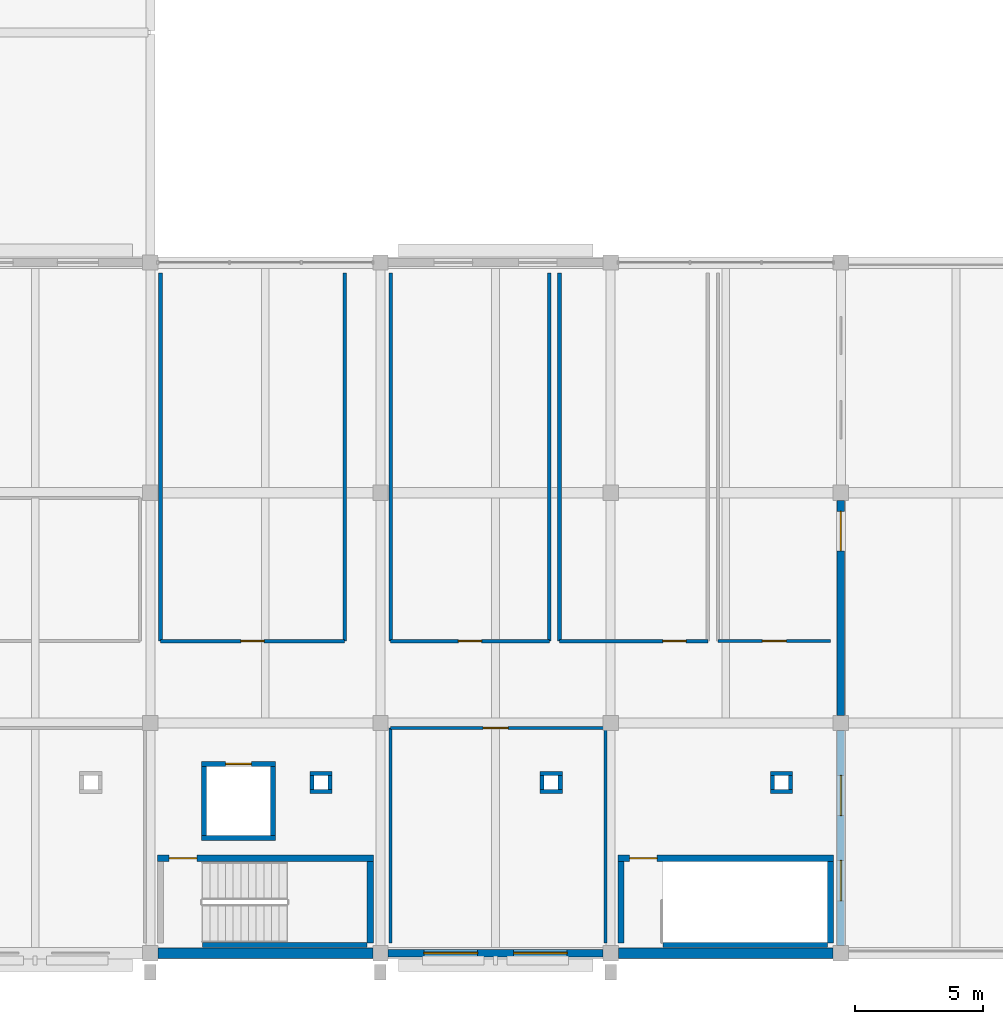
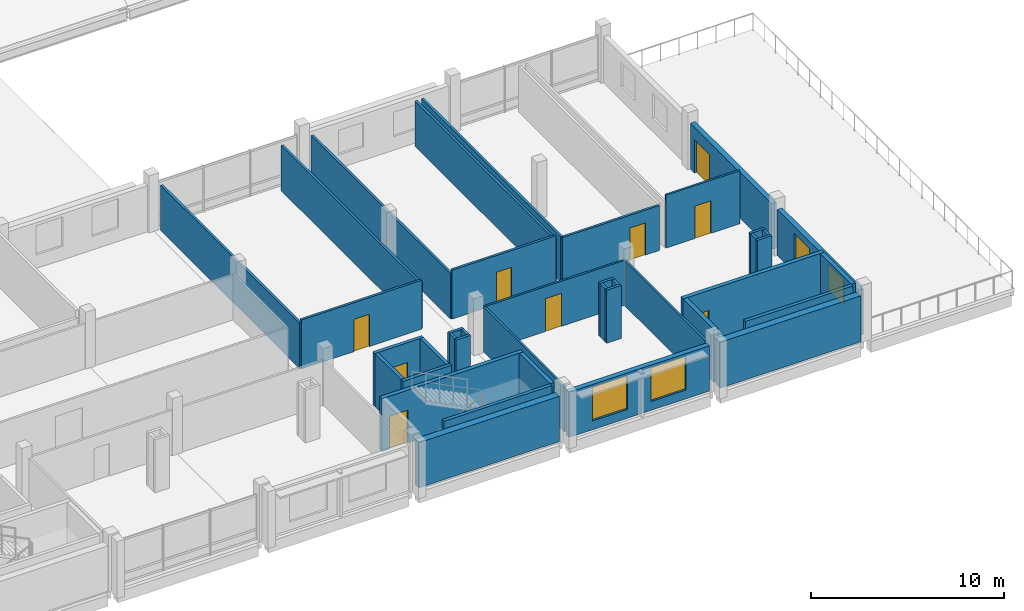
# One storey, part 151 of 163: 40 walls, 9 doors, 4 windows, 13 openings.
"""IFC4 building model written with IfcOpenShell, lengths in metres."""

import ifcopenshell
import ifcopenshell.guid

model = None  # the IFC model being written
_history = None  # IfcOwnerHistory: only IFC2X3 demands one
_inside = {}  # id of a spatial element -> (the spatial element, [elements in it])
_under = {}  # id of a project, library or spatial element -> (it, [spatial elements below it])
_declared = {}  # id of a project -> (the project, [libraries it declares])
_typed = {}  # id of a type object -> (the type object, [elements of that type])
_made_of = {}  # id of a material, layer set ... -> (it, [elements and type objects made of it])


def new_model(schema):
    """Start an empty IFC model of exactly this schema.

    Asked for "IFC4X3", IfcOpenShell would pick the latest addendum, in which some entities
    have other attributes; the version numbers below select the first issue.
    IFC2X3 requires an IfcOwnerHistory on every rooted entity: one is made here for all.
    """
    global model, _history
    if schema == "IFC4X3":
        model = ifcopenshell.file(schema_version=(4, 3, 0, 0))
    else:
        model = ifcopenshell.file(schema=schema)
    _inside.clear()
    _under.clear()
    _declared.clear()
    _typed.clear()
    _made_of.clear()
    _history = None
    if model.schema == "IFC2X3":
        org = make("IfcOrganization", Name="unknown")
        user = make(
            "IfcPersonAndOrganization",
            ThePerson=make("IfcPerson", FamilyName="unknown"),
            TheOrganization=org,
        )
        app = make(
            "IfcApplication",
            ApplicationDeveloper=org,
            Version="unknown",
            ApplicationFullName="unknown",
            ApplicationIdentifier="unknown",
        )
        _history = make(
            "IfcOwnerHistory",
            OwningUser=user,
            OwningApplication=app,
            ChangeAction="ADDED",
            CreationDate=0,
        )
    return model


def make(cls, **values):
    """One entity of the class cls with the attributes given. An attribute that is None is left unset."""
    return model.create_entity(
        cls, **{name: value for name, value in values.items() if value is not None}
    )


def rooted(cls, **values):
    """An entity with a GlobalId (a new one), such as an element, a storey or a relation."""
    return make(cls, GlobalId=ifcopenshell.guid.new(), OwnerHistory=_history, **values)


def si_unit(unit_type, name, prefix=None):
    """IfcSIUnit, for example si_unit("LENGTHUNIT", "METRE", prefix="MILLI")."""
    return make("IfcSIUnit", UnitType=unit_type, Prefix=prefix, Name=name)


def assignment(units):
    """IfcUnitAssignment: the units of a project."""
    return None if units is None else make("IfcUnitAssignment", Units=units)


def point(xyz):
    """IfcCartesianPoint."""
    return None if xyz is None else make("IfcCartesianPoint", Coordinates=xyz)


def direction(xyz):
    """IfcDirection."""
    return None if xyz is None else make("IfcDirection", DirectionRatios=xyz)


def frame(location, z_axis=None, x_axis=None):
    """IfcAxis2Placement3D, a coordinate frame: its origin and axes. An axis left out is left unset."""
    return make(
        "IfcAxis2Placement3D",
        Location=point(location),
        Axis=direction(z_axis),
        RefDirection=direction(x_axis),
    )


def frame_2d(location, x_axis=None):
    """IfcAxis2Placement2D, a coordinate frame in the plane: its origin and x axis."""
    return make(
        "IfcAxis2Placement2D", Location=point(location), RefDirection=direction(x_axis)
    )


def origin():
    """The frame at (0, 0, 0) with its axes left unset."""
    return frame((0.0, 0.0, 0.0))


def place(relative_to, where):
    """IfcLocalPlacement: puts the frame where relative to a parent placement (None: the world)."""
    return make(
        "IfcLocalPlacement", PlacementRelTo=relative_to, RelativePlacement=where
    )


def context(
    kind, dimensions, precision=None, world=None, true_north=None, identifier=None
):
    """IfcGeometricRepresentationContext, for example the 3D "Model" context."""
    return make(
        "IfcGeometricRepresentationContext",
        ContextIdentifier=identifier,
        ContextType=kind,
        CoordinateSpaceDimension=dimensions,
        Precision=precision,
        WorldCoordinateSystem=world,
        TrueNorth=true_north,
    )


def subcontext(parent, identifier, kind, view, scale=None):
    """IfcGeometricRepresentationSubContext, for example "Body" below "Model"."""
    return make(
        "IfcGeometricRepresentationSubContext",
        ContextIdentifier=identifier,
        ContextType=kind,
        ParentContext=parent,
        TargetScale=scale,
        TargetView=view,
    )


def project(units=None, contexts=None):
    """IfcProject with its units and contexts."""
    return rooted(
        "IfcProject",
        Name="project",
        RepresentationContexts=contexts,
        UnitsInContext=assignment(units),
    )


def spatial(cls, under=None, at=None, **own):
    """A site, building, storey or space (cls), placed at a placement, below another one or the project."""
    s = rooted(cls, ObjectPlacement=at, **own)
    if under is not None:
        _under.setdefault(under.id(), (under, []))[1].append(s)
    return s


def profile(cls, at=None, kind="AREA", **sizes):
    """A parametric profile (cls). Its sizes go by their IFC names, for example OverallWidth=200.0."""
    return make(cls, ProfileType=kind, Position=at, **sizes)


def rectangle(**sizes):
    """IfcRectangleProfileDef."""
    return profile("IfcRectangleProfileDef", **sizes)


def extrude(swept, where, along, depth):
    """IfcExtrudedAreaSolid: the profile swept, set in the frame where, extruded along a direction by depth."""
    return make(
        "IfcExtrudedAreaSolid",
        SweptArea=swept,
        Position=where,
        ExtrudedDirection=direction(along),
        Depth=depth,
    )


def shape(context_of_items, identifier, shape_type, items):
    """IfcShapeRepresentation: the items that make up one representation, for example the "Body"."""
    return make(
        "IfcShapeRepresentation",
        ContextOfItems=context_of_items,
        RepresentationIdentifier=identifier,
        RepresentationType=shape_type,
        Items=items,
    )


def material(Name=None, Category=None):
    """IfcMaterial."""
    return make("IfcMaterial", Name=Name, Category=Category)


def layer(
    of_material, thickness, ventilated=None, Name=None, Category=None, Priority=None
):
    """IfcMaterialLayer: one layer of a wall or slab, of a material (None: an air gap)."""
    return make(
        "IfcMaterialLayer",
        Material=of_material,
        LayerThickness=thickness,
        IsVentilated=ventilated,
        Name=Name,
        Category=Category,
        Priority=Priority,
    )


def layer_set(layers, Name=None):
    """IfcMaterialLayerSet."""
    return make("IfcMaterialLayerSet", MaterialLayers=layers, LayerSetName=Name)


def made_of(thing, what):
    """Note that an element or type object is made of a material, layer set ...; save() writes the relation."""
    if what is not None:
        _made_of.setdefault(what.id(), (what, []))[1].append(thing)
    return thing


def type_object(cls, material=None, **own):
    """A type object (cls), such as IfcWallType, which elements share."""
    return made_of(rooted(cls, **own), material)


def element(
    cls,
    number,
    at=None,
    inside=None,
    cuts=None,
    type_object=None,
    material=None,
    context=None,
    identifier="Body",
    shape_type=None,
    held_by="IfcProductDefinitionShape",
    body=None,
    shapes=None,
    **own,
):
    """One element of the class cls, such as IfcWall. Its Tag is "e" and its number.

    at: its placement. inside: the storey or other place that contains it. cuts: it is an
    opening in that element (IfcRelVoidsElement). A single representation is given by context,
    identifier, shape_type and body (its items); several are given by shapes. held_by: the class
    of the entity that holds the representations. save() writes the other relations.
    """
    e = rooted(cls, Tag="e%d" % number, ObjectPlacement=at, **own)
    if body is not None:
        shapes = [shape(context, identifier, shape_type, body)]
    if shapes is not None:
        e.Representation = make(held_by, Representations=shapes)
    if inside is not None:
        _inside.setdefault(inside.id(), (inside, []))[1].append(e)
    if cuts is not None:
        rooted(
            "IfcRelVoidsElement", RelatingBuildingElement=cuts, RelatedOpeningElement=e
        )
    if type_object is not None:
        _typed.setdefault(type_object.id(), (type_object, []))[1].append(e)
    return made_of(e, material)


def fill(opening, filler):
    """IfcRelFillsElement: the door or window that sits in an opening."""
    return rooted(
        "IfcRelFillsElement",
        RelatingOpeningElement=opening,
        RelatedBuildingElement=filler,
    )


def aggregate(whole, parts):
    """IfcRelAggregates: a whole, such as a stair, and the parts it consists of."""
    return rooted("IfcRelAggregates", RelatingObject=whole, RelatedObjects=parts)


def save(model, path):
    """Write the relations noted so far, then the file.

    IfcRelAggregates (storeys below a building ...), IfcRelContainedInSpatialStructure (elements
    in a storey), IfcRelDefinesByType, IfcRelAssociatesMaterial and IfcRelDeclares: one each for
    every whole, place, type object, material and project.
    """
    for whole, parts in _under.values():
        aggregate(whole, parts)
    for where, things in _inside.values():
        rooted(
            "IfcRelContainedInSpatialStructure",
            RelatedElements=things,
            RelatingStructure=where,
        )
    for kind, things in _typed.values():
        rooted("IfcRelDefinesByType", RelatedObjects=things, RelatingType=kind)
    for what, things in _made_of.values():
        rooted("IfcRelAssociatesMaterial", RelatedObjects=things, RelatingMaterial=what)
    for by, libraries in _declared.values():
        rooted("IfcRelDeclares", RelatingContext=by, RelatedDefinitions=libraries)
    model.write(path)


model = new_model("IFC4")

# Units and contexts
model_context = context("Model", 3, precision=1e-05, world=origin(), true_north=direction((0.0, 1.0)))
body_context = subcontext(model_context, "Body", "Model", "MODEL_VIEW")
ifc_project = project(units=[si_unit("LENGTHUNIT", "METRE"), si_unit("AREAUNIT", "SQUARE_METRE"), si_unit("VOLUMEUNIT", "CUBIC_METRE"), si_unit("PLANEANGLEUNIT", "RADIAN"), si_unit("MASSUNIT", "GRAM", prefix="KILO")], contexts=[model_context])

# Site, building, storey
site_placement = place(None, origin())
site = spatial("IfcSite", under=ifc_project, at=site_placement, CompositionType="ELEMENT")
building_placement = place(site_placement, origin())
building = spatial("IfcBuilding", under=site, at=building_placement, Name="Tharagai Park Tramway Depot", CompositionType="ELEMENT")
storey_placement = place(building_placement, frame((0.0, 0.0, 8.39990234375)))
storey = spatial("IfcBuildingStorey", under=building, at=storey_placement, Name="L02", CompositionType="ELEMENT", Elevation=8.39990234375)

# Walls
ifc_material_1 = material(Name="Charnockite stone", Category="masonry")
ifc_layer_1 = layer(ifc_material_1, 0.419921875)
ifc_layer_set_1 = layer_set([ifc_layer_1], Name="Charnockite stone")
wall_type_1 = type_object("IfcWallType", Name="EW-07", PredefinedType="SOLIDWALL", material=ifc_layer_set_1)
wall_1_placement = place(storey_placement, frame((63.298095703125, 0.0, 0.0), z_axis=(0.0, 0.0, 1.0), x_axis=(1.0, 0.0, 0.0)))
element("IfcWall", 1, at=wall_1_placement, inside=storey, type_object=wall_type_1, Name="L02 V4 Exterior Masonry Wall EW-07", PredefinedType="SOLIDWALL", context=body_context, shape_type="SweptSolid", body=[
    extrude(rectangle(XDim=8.40380859375, YDim=0.419921875, at=frame_2d((4.201904296875, 0.0))), origin(), (0.0, 0.0, 1.0), 2.862060546875),
])
wall_2_placement = place(storey_placement, frame((81.298095703125, 0.0, 0.0), z_axis=(0.0, 0.0, 1.0), x_axis=(1.0, 0.0, 0.0)))
element("IfcWall", 2, at=wall_2_placement, inside=storey, type_object=wall_type_1, Name="L02 V4 Exterior Masonry Wall EW-07", PredefinedType="SOLIDWALL", context=body_context, shape_type="SweptSolid", body=[
    extrude(rectangle(XDim=8.40380859375, YDim=0.419921875, at=frame_2d((4.201904296875, 0.0))), origin(), (0.0, 0.0, 1.0), 2.902099609375),
])

# Wall, openings, windows
ifc_material_2 = material(Name="Pressed clay brick", Category="masonry")
ifc_layer_2 = layer(ifc_material_2, 0.300048828125)
ifc_layer_set_2 = layer_set([ifc_layer_2], Name="Pressed clay brick")
wall_type_2 = type_object("IfcWallType", Name="EW-08", PredefinedType="SOLIDWALL", material=ifc_layer_set_2)
wall_3_placement = place(storey_placement, frame((72.298095703125, 0.0, 0.0), z_axis=(0.0, 0.0, 1.0), x_axis=(1.0, 0.0, 0.0)))
wall_3 = element("IfcWall", 3, at=wall_3_placement, inside=storey, type_object=wall_type_2, Name="L02 V4 Exterior Masonry Wall EW-08", PredefinedType="SOLIDWALL", context=body_context, shape_type="SweptSolid", body=[
    extrude(rectangle(XDim=8.40380859375, YDim=0.300048828125, at=frame_2d((4.201904296875, 0.0))), origin(), (0.0, 0.0, 1.0), 2.862060546875),
])
opening_1_placement = place(wall_3_placement, frame((1.40087890625, 0.0, 0.56005859375)))
opening_1 = element("IfcOpeningElement", 4, at=opening_1_placement, cuts=wall_3, Name="Opening WN-39", PredefinedType="OPENING", context=body_context, shape_type="SweptSolid", body=[
    extrude(rectangle(XDim=2.10009765625, YDim=2.1201171875, at=frame_2d((1.050048828125, 1.06005859375))), frame((0.0, 0.159912109375, 0.0), z_axis=(0.0, -1.0, 0.0), x_axis=(1.0, 0.0, 0.0)), (0.0, 0.0, 1.0), 0.320068359375),
])
opening_2_placement = place(wall_3_placement, frame((4.903076171875, 0.0, 0.56005859375)))
opening_2 = element("IfcOpeningElement", 5, at=opening_2_placement, cuts=wall_3, Name="Opening WN-39", PredefinedType="OPENING", context=body_context, shape_type="SweptSolid", body=[
    extrude(rectangle(XDim=2.10009765625, YDim=2.1201171875, at=frame_2d((1.050048828125, 1.06005859375))), frame((0.0, 0.159912109375, 0.0), z_axis=(0.0, -1.0, 0.0), x_axis=(1.0, 0.0, 0.0)), (0.0, 0.0, 1.0), 0.320068359375),
])
ifc_material_3 = material(Name="Laminated solar-control glass", Category="glass")
window_type_1 = type_object("IfcWindowType", Name="WN-39", PartitioningType="SINGLE_PANEL", PredefinedType="WINDOW", material=ifc_material_3)
window_1_placement = place(opening_1_placement, origin())
window_1 = element("IfcWindow", 6, at=window_1_placement, inside=storey, type_object=window_type_1, Name="L02 V4 Gothic Lancet Window WN-39", OverallHeight=2.1201171875, OverallWidth=2.10009765625, PartitioningType="SINGLE_PANEL", PredefinedType="WINDOW", context=body_context, shape_type="SweptSolid", body=[
    extrude(rectangle(XDim=2.10009765625, YDim=2.1201171875, at=frame_2d((1.050048828125, 1.06005859375))), frame((0.0, 0.030029296875, 0.0), z_axis=(0.0, -1.0, 0.0), x_axis=(1.0, 0.0, 0.0)), (0.0, 0.0, 1.0), 0.06005859375),
])
fill(opening_1, window_1)
window_2_placement = place(opening_2_placement, origin())
window_2 = element("IfcWindow", 7, at=window_2_placement, inside=storey, type_object=window_type_1, Name="L02 V4 Gothic Lancet Window WN-39", OverallHeight=2.1201171875, OverallWidth=2.10009765625, PartitioningType="SINGLE_PANEL", PredefinedType="WINDOW", context=body_context, shape_type="SweptSolid", body=[
    extrude(rectangle(XDim=2.10009765625, YDim=2.1201171875, at=frame_2d((1.050048828125, 1.06005859375))), frame((0.0, 0.030029296875, 0.0), z_axis=(0.0, -1.0, 0.0), x_axis=(1.0, 0.0, 0.0)), (0.0, 0.0, 1.0), 0.06005859375),
])
fill(opening_2, window_2)

wall_4_placement = place(storey_placement, frame((90.0, 0.298095703125, 0.0), z_axis=(0.0, 0.0, 1.0), x_axis=(0.0, 1.0, 0.0)))
wall_4 = element("IfcWall", 8, at=wall_4_placement, inside=storey, type_object=wall_type_2, Name="L02 V4 Exterior Masonry Wall EW-08", PredefinedType="SOLIDWALL", context=body_context, shape_type="SweptSolid", body=[
    extrude(rectangle(XDim=8.40380859375, YDim=0.300048828125, at=frame_2d((4.201904296875, 0.0))), origin(), (0.0, 0.0, 1.0), 2.902099609375),
])
opening_3_placement = place(wall_4_placement, frame((1.748046875, 0.0, 0.85009765625)))
opening_3 = element("IfcOpeningElement", 9, at=opening_3_placement, cuts=wall_4, Name="Opening WN-33", PredefinedType="OPENING", context=body_context, shape_type="SweptSolid", body=[
    extrude(rectangle(XDim=1.580078125, YDim=1.60009765625, at=frame_2d((0.7900390625, 0.800048828125))), frame((0.0, 0.159912109375, 0.0), z_axis=(0.0, -1.0, 0.0), x_axis=(1.0, 0.0, 0.0)), (0.0, 0.0, 1.0), 0.320068359375),
])
opening_4_placement = place(wall_4_placement, frame((5.075927734375, 0.0, 0.85009765625)))
opening_4 = element("IfcOpeningElement", 10, at=opening_4_placement, cuts=wall_4, Name="Opening WN-33", PredefinedType="OPENING", context=body_context, shape_type="SweptSolid", body=[
    extrude(rectangle(XDim=1.580078125, YDim=1.60009765625, at=frame_2d((0.7900390625, 0.800048828125))), frame((0.0, 0.159912109375, 0.0), z_axis=(0.0, -1.0, 0.0), x_axis=(1.0, 0.0, 0.0)), (0.0, 0.0, 1.0), 0.320068359375),
])
window_type_2 = type_object("IfcWindowType", Name="WN-33", PartitioningType="SINGLE_PANEL", PredefinedType="WINDOW", material=ifc_material_3)
window_3_placement = place(opening_3_placement, origin())
window_3 = element("IfcWindow", 11, at=window_3_placement, inside=storey, type_object=window_type_2, Name="L02 V4 Side Lancet Window WN-33", OverallHeight=1.60009765625, OverallWidth=1.580078125, PartitioningType="SINGLE_PANEL", PredefinedType="WINDOW", context=body_context, shape_type="SweptSolid", body=[
    extrude(rectangle(XDim=1.580078125, YDim=1.60009765625, at=frame_2d((0.7900390625, 0.800048828125))), frame((0.0, 0.030029296875, 0.0), z_axis=(0.0, -1.0, 0.0), x_axis=(1.0, 0.0, 0.0)), (0.0, 0.0, 1.0), 0.06005859375),
])
fill(opening_3, window_3)
window_4_placement = place(opening_4_placement, origin())
window_4 = element("IfcWindow", 12, at=window_4_placement, inside=storey, type_object=window_type_2, Name="L02 V4 Side Lancet Window WN-33", OverallHeight=1.60009765625, OverallWidth=1.580078125, PartitioningType="SINGLE_PANEL", PredefinedType="WINDOW", context=body_context, shape_type="SweptSolid", body=[
    extrude(rectangle(XDim=1.580078125, YDim=1.60009765625, at=frame_2d((0.7900390625, 0.800048828125))), frame((0.0, 0.030029296875, 0.0), z_axis=(0.0, -1.0, 0.0), x_axis=(1.0, 0.0, 0.0)), (0.0, 0.0, 1.0), 0.06005859375),
])
fill(opening_4, window_4)

# Wall, opening, door
wall_5_placement = place(storey_placement, frame((90.0, 9.298095703125, 0.0), z_axis=(0.0, 0.0, 1.0), x_axis=(0.0, 1.0, 0.0)))
wall_5 = element("IfcWall", 13, at=wall_5_placement, inside=storey, type_object=wall_type_2, Name="L02 V4 Exterior Masonry Wall EW-08", PredefinedType="SOLIDWALL", context=body_context, shape_type="SweptSolid", body=[
    extrude(rectangle(XDim=8.40380859375, YDim=0.300048828125, at=frame_2d((4.201904296875, 0.0))), origin(), (0.0, 0.0, 1.0), 2.902099609375),
])
opening_5_placement = place(wall_5_placement, frame((6.431884765625, 0.0, 0.0)))
opening_5 = element("IfcOpeningElement", 14, at=opening_5_placement, cuts=wall_5, Name="Opening ED-04", PredefinedType="OPENING", context=body_context, shape_type="SweptSolid", body=[
    extrude(rectangle(XDim=1.5400390625, YDim=2.1201171875, at=frame_2d((0.77001953125, 1.06005859375))), frame((0.0, 0.159912109375, 0.0), z_axis=(0.0, -1.0, 0.0), x_axis=(1.0, 0.0, 0.0)), (0.0, 0.0, 1.0), 0.320068359375),
])
ifc_material_4 = material(Name="Anodised aluminium", Category="aluminium")
door_type_1 = type_object("IfcDoorType", Name="ED-04", OperationType="DOUBLE_SWING_LEFT", PredefinedType="DOOR", material=ifc_material_4)
door_1_placement = place(opening_5_placement, frame((1.5400390625, 0.0, 0.0), z_axis=(0.0, 0.0, 1.0), x_axis=(-1.0, 0.0, 0.0)))
door_1 = element("IfcDoor", 15, at=door_1_placement, inside=storey, type_object=door_type_1, Name="T-L02-V4 Terrace Access Door", OperationType="DOUBLE_SWING_LEFT", OverallHeight=2.1201171875, OverallWidth=1.5400390625, PredefinedType="DOOR", context=body_context, shape_type="SweptSolid", body=[
    extrude(rectangle(XDim=1.5400390625, YDim=2.1201171875, at=frame_2d((0.77001953125, 1.06005859375))), frame((0.0, 0.02490234375, 0.0), z_axis=(0.0, -1.0, 0.0), x_axis=(1.0, 0.0, 0.0)), (0.0, 0.0, 1.0), 0.050048828125),
])
fill(opening_5, door_1)

ifc_layer_3 = layer(ifc_material_2, 0.139892578125)
ifc_layer_set_3 = layer_set([ifc_layer_3], Name="Pressed clay brick")
wall_type_3 = type_object("IfcWallType", Name="IW-01", PredefinedType="PARTITIONING", material=ifc_layer_set_3)
wall_6_placement = place(storey_placement, frame((63.39990234375, 12.199951171875, 0.0), z_axis=(0.0, 0.0, 1.0), x_axis=(1.0, 0.0, 0.0)))
wall_6 = element("IfcWall", 16, at=wall_6_placement, inside=storey, type_object=wall_type_3, Name="Second Floor Male WC Partition South", PredefinedType="PARTITIONING", context=body_context, shape_type="SweptSolid", body=[
    extrude(rectangle(XDim=7.2001953125, YDim=0.139892578125, at=frame_2d((3.60009765625, 0.0))), origin(), (0.0, 0.0, 1.0), 3.09521484375),
])
opening_6_placement = place(wall_6_placement, frame((3.14501953125, 0.0, 0.0)))
opening_6 = element("IfcOpeningElement", 17, at=opening_6_placement, cuts=wall_6, Name="Opening ID-08", PredefinedType="OPENING", context=body_context, shape_type="SweptSolid", body=[
    extrude(rectangle(XDim=0.909912109375, YDim=2.0400390625, at=frame_2d((0.455078125, 1.02001953125))), frame((0.0, 0.079833984375, 0.0), z_axis=(0.0, -1.0, 0.0), x_axis=(1.0, 0.0, 0.0)), (0.0, 0.0, 1.0), 0.159912109375),
])
ifc_material_5 = material(Name="Pressed timber", Category="wood")
door_type_2 = type_object("IfcDoorType", Name="ID-08", OperationType="NOTDEFINED", PredefinedType="DOOR", material=ifc_material_5)
door_2_placement = place(opening_6_placement, frame((0.909912109375, 0.0, 0.0), z_axis=(0.0, 0.0, 1.0), x_axis=(-1.0, 0.0, 0.0)))
door_2 = element("IfcDoor", 18, at=door_2_placement, inside=storey, type_object=door_type_2, Name="Second Floor Male WC Door", OperationType="SINGLE_SWING_LEFT", OverallHeight=2.0400390625, OverallWidth=0.909912109375, PredefinedType="DOOR", context=body_context, shape_type="SweptSolid", body=[
    extrude(rectangle(XDim=0.909912109375, YDim=2.0400390625, at=frame_2d((0.455078125, 1.02001953125))), frame((0.0, 0.02490234375, 0.0), z_axis=(0.0, -1.0, 0.0), x_axis=(1.0, 0.0, 0.0)), (0.0, 0.0, 1.0), 0.050048828125),
])
fill(opening_6, door_2)

# Walls
for number, where, z_axis, x_axis, name in (
    (19, (63.39990234375, 12.199951171875, 0.0), (0.0, 0.0, 1.0), (0.0, 1.0, 0.0), "Second Floor Male WC Partition West"),
    (20, (70.60009765625, 12.199951171875, 0.0), (0.0, 0.0, 1.0), (0.0, 1.0, 0.0), "Second Floor Male WC Partition East"),
):
    element("IfcWall", number, at=place(storey_placement, frame(where, z_axis=z_axis, x_axis=x_axis)), inside=storey, type_object=wall_type_3, Name=name, PredefinedType="PARTITIONING", context=body_context, shape_type="SweptSolid", body=[
        extrude(rectangle(XDim=14.400146484375, YDim=0.139892578125, at=frame_2d((7.2001953125, 0.0))), origin(), (0.0, 0.0, 1.0), 2.864990234375),
    ])

# Wall, opening, door
wall_7_placement = place(storey_placement, frame((72.39990234375, 12.199951171875, 0.0), z_axis=(0.0, 0.0, 1.0), x_axis=(1.0, 0.0, 0.0)))
wall_7 = element("IfcWall", 21, at=wall_7_placement, inside=storey, type_object=wall_type_3, Name="Second Floor Female WC Partition South", PredefinedType="PARTITIONING", context=body_context, shape_type="SweptSolid", body=[
    extrude(rectangle(XDim=6.2001953125, YDim=0.139892578125, at=frame_2d((3.10009765625, 0.0))), origin(), (0.0, 0.0, 1.0), 3.09521484375),
])
opening_7_placement = place(wall_7_placement, frame((2.64501953125, 0.0, 0.0)))
opening_7 = element("IfcOpeningElement", 22, at=opening_7_placement, cuts=wall_7, Name="Opening ID-08", PredefinedType="OPENING", context=body_context, shape_type="SweptSolid", body=[
    extrude(rectangle(XDim=0.909912109375, YDim=2.0400390625, at=frame_2d((0.455078125, 1.02001953125))), frame((0.0, 0.079833984375, 0.0), z_axis=(0.0, -1.0, 0.0), x_axis=(1.0, 0.0, 0.0)), (0.0, 0.0, 1.0), 0.159912109375),
])
door_3_placement = place(opening_7_placement, frame((0.909912109375, 0.0, 0.0), z_axis=(0.0, 0.0, 1.0), x_axis=(-1.0, 0.0, 0.0)))
door_3 = element("IfcDoor", 23, at=door_3_placement, inside=storey, type_object=door_type_2, Name="Second Floor Female WC Door", OperationType="SINGLE_SWING_RIGHT", OverallHeight=2.0400390625, OverallWidth=0.909912109375, PredefinedType="DOOR", context=body_context, shape_type="SweptSolid", body=[
    extrude(rectangle(XDim=0.909912109375, YDim=2.0400390625, at=frame_2d((0.455078125, 1.02001953125))), frame((0.0, 0.02490234375, 0.0), z_axis=(0.0, -1.0, 0.0), x_axis=(1.0, 0.0, 0.0)), (0.0, 0.0, 1.0), 0.050048828125),
])
fill(opening_7, door_3)

# Walls
for number, where, z_axis, x_axis, name in (
    (24, (72.39990234375, 12.199951171875, 0.0), (0.0, 0.0, 1.0), (0.0, 1.0, 0.0), "Second Floor Female WC Partition West"),
    (25, (78.60009765625, 12.199951171875, 0.0), (0.0, 0.0, 1.0), (0.0, 1.0, 0.0), "Second Floor Female WC Partition East"),
):
    element("IfcWall", number, at=place(storey_placement, frame(where, z_axis=z_axis, x_axis=x_axis)), inside=storey, type_object=wall_type_3, Name=name, PredefinedType="PARTITIONING", context=body_context, shape_type="SweptSolid", body=[
        extrude(rectangle(XDim=14.400146484375, YDim=0.139892578125, at=frame_2d((7.2001953125, 0.0))), origin(), (0.0, 0.0, 1.0), 2.864990234375),
    ])

# Wall, opening, door
wall_8_placement = place(storey_placement, frame((79.0, 12.199951171875, 0.0), z_axis=(0.0, 0.0, 1.0), x_axis=(1.0, 0.0, 0.0)))
wall_8 = element("IfcWall", 26, at=wall_8_placement, inside=storey, type_object=wall_type_3, Name="Second Floor Accessible WC Partition South", PredefinedType="PARTITIONING", context=body_context, shape_type="SweptSolid", body=[
    extrude(rectangle(XDim=5.800048828125, YDim=0.139892578125, at=frame_2d((2.89990234375, 0.0))), origin(), (0.0, 0.0, 1.0), 2.84521484375),
])
opening_8_placement = place(wall_8_placement, frame((4.044921875, 0.0, 0.0)))
opening_8 = element("IfcOpeningElement", 27, at=opening_8_placement, cuts=wall_8, Name="Opening ID-08", PredefinedType="OPENING", context=body_context, shape_type="SweptSolid", body=[
    extrude(rectangle(XDim=0.909912109375, YDim=2.0400390625, at=frame_2d((0.455078125, 1.02001953125))), frame((0.0, 0.079833984375, 0.0), z_axis=(0.0, -1.0, 0.0), x_axis=(1.0, 0.0, 0.0)), (0.0, 0.0, 1.0), 0.159912109375),
])
door_4_placement = place(opening_8_placement, frame((0.909912109375, 0.0, 0.0), z_axis=(0.0, 0.0, 1.0), x_axis=(-1.0, 0.0, 0.0)))
door_4 = element("IfcDoor", 28, at=door_4_placement, inside=storey, type_object=door_type_2, Name="Second Floor Accessible WC Door", OperationType="SINGLE_SWING_LEFT", OverallHeight=2.0400390625, OverallWidth=0.909912109375, PredefinedType="DOOR", context=body_context, shape_type="SweptSolid", body=[
    extrude(rectangle(XDim=0.909912109375, YDim=2.0400390625, at=frame_2d((0.455078125, 1.02001953125))), frame((0.0, 0.02490234375, 0.0), z_axis=(0.0, -1.0, 0.0), x_axis=(1.0, 0.0, 0.0)), (0.0, 0.0, 1.0), 0.050048828125),
])
fill(opening_8, door_4)

# Walls
wall_9_placement = place(storey_placement, frame((79.0, 12.199951171875, 0.0), z_axis=(0.0, 0.0, 1.0), x_axis=(0.0, 1.0, 0.0)))
element("IfcWall", 29, at=wall_9_placement, inside=storey, type_object=wall_type_3, Name="Second Floor Accessible WC Partition West", PredefinedType="PARTITIONING", context=body_context, shape_type="SweptSolid", body=[
    extrude(rectangle(XDim=14.400146484375, YDim=0.139892578125, at=frame_2d((7.2001953125, 0.0))), origin(), (0.0, 0.0, 1.0), 2.864990234375),
])
ifc_layer_4 = layer(ifc_material_2, 0.159912109375)
ifc_layer_set_4 = layer_set([ifc_layer_4], Name="Pressed clay brick")
wall_type_4 = type_object("IfcWallType", Name="IW-02", PredefinedType="PARTITIONING", material=ifc_layer_set_4)
for number, where, z_axis, x_axis, name in (
    (30, (69.239990234375, 6.320068359375, 0.0), (0.0, 0.0, 1.0), (1.0, 0.0, 0.0), "L02 Pipe Riser Enclosure Wall 44 S"),
    (31, (69.239990234375, 7.030029296875, 0.0), (0.0, 0.0, 1.0), (1.0, 0.0, 0.0), "L02 Pipe Riser Enclosure Wall 44 N"),
):
    element("IfcWall", number, at=place(storey_placement, frame(where, z_axis=z_axis, x_axis=x_axis)), inside=storey, type_object=wall_type_4, Name=name, PredefinedType="PARTITIONING", context=body_context, shape_type="SweptSolid", body=[
        extrude(rectangle(XDim=0.8701171875, YDim=0.159912109375, at=frame_2d((0.43505859375, 0.0))), origin(), (0.0, 0.0, 1.0), 3.35009765625),
    ])
for number, where, z_axis, x_axis, name in (
    (32, (69.320068359375, 6.39990234375, 0.0), (0.0, 0.0, 1.0), (0.0, 1.0, 0.0), "L02 Pipe Riser Enclosure Wall 44 W"),
    (33, (70.030029296875, 6.39990234375, 0.0), (0.0, 0.0, 1.0), (0.0, 1.0, 0.0), "L02 Pipe Riser Enclosure Wall 44 E"),
):
    element("IfcWall", number, at=place(storey_placement, frame(where, z_axis=z_axis, x_axis=x_axis)), inside=storey, type_object=wall_type_4, Name=name, PredefinedType="PARTITIONING", context=body_context, shape_type="SweptSolid", body=[
        extrude(rectangle(XDim=0.550048828125, YDim=0.159912109375, at=frame_2d((0.27490234375, 0.0))), origin(), (0.0, 0.0, 1.0), 3.35009765625),
    ])
for number, where, z_axis, x_axis, name in (
    (34, (78.239990234375, 6.320068359375, 0.0), (0.0, 0.0, 1.0), (1.0, 0.0, 0.0), "L02 Pipe Riser Enclosure Wall 45 S"),
    (35, (78.239990234375, 7.030029296875, 0.0), (0.0, 0.0, 1.0), (1.0, 0.0, 0.0), "L02 Pipe Riser Enclosure Wall 45 N"),
):
    element("IfcWall", number, at=place(storey_placement, frame(where, z_axis=z_axis, x_axis=x_axis)), inside=storey, type_object=wall_type_4, Name=name, PredefinedType="PARTITIONING", context=body_context, shape_type="SweptSolid", body=[
        extrude(rectangle(XDim=0.8701171875, YDim=0.159912109375, at=frame_2d((0.43505859375, 0.0))), origin(), (0.0, 0.0, 1.0), 3.35009765625),
    ])
for number, where, z_axis, x_axis, name in (
    (36, (78.320068359375, 6.39990234375, 0.0), (0.0, 0.0, 1.0), (0.0, 1.0, 0.0), "L02 Pipe Riser Enclosure Wall 45 W"),
    (37, (79.030029296875, 6.39990234375, 0.0), (0.0, 0.0, 1.0), (0.0, 1.0, 0.0), "L02 Pipe Riser Enclosure Wall 45 E"),
):
    element("IfcWall", number, at=place(storey_placement, frame(where, z_axis=z_axis, x_axis=x_axis)), inside=storey, type_object=wall_type_4, Name=name, PredefinedType="PARTITIONING", context=body_context, shape_type="SweptSolid", body=[
        extrude(rectangle(XDim=0.550048828125, YDim=0.159912109375, at=frame_2d((0.27490234375, 0.0))), origin(), (0.0, 0.0, 1.0), 3.35009765625),
    ])
for number, where, z_axis, x_axis, name in (
    (38, (87.239990234375, 6.320068359375, 0.0), (0.0, 0.0, 1.0), (1.0, 0.0, 0.0), "L02 Pipe Riser Enclosure Wall 46 S"),
    (39, (87.239990234375, 7.030029296875, 0.0), (0.0, 0.0, 1.0), (1.0, 0.0, 0.0), "L02 Pipe Riser Enclosure Wall 46 N"),
):
    element("IfcWall", number, at=place(storey_placement, frame(where, z_axis=z_axis, x_axis=x_axis)), inside=storey, type_object=wall_type_4, Name=name, PredefinedType="PARTITIONING", context=body_context, shape_type="SweptSolid", body=[
        extrude(rectangle(XDim=0.8701171875, YDim=0.159912109375, at=frame_2d((0.43505859375, 0.0))), origin(), (0.0, 0.0, 1.0), 3.35009765625),
    ])
for number, where, z_axis, x_axis, name in (
    (40, (87.320068359375, 6.39990234375, 0.0), (0.0, 0.0, 1.0), (0.0, 1.0, 0.0), "L02 Pipe Riser Enclosure Wall 46 W"),
    (41, (88.030029296875, 6.39990234375, 0.0), (0.0, 0.0, 1.0), (0.0, 1.0, 0.0), "L02 Pipe Riser Enclosure Wall 46 E"),
):
    element("IfcWall", number, at=place(storey_placement, frame(where, z_axis=z_axis, x_axis=x_axis)), inside=storey, type_object=wall_type_4, Name=name, PredefinedType="PARTITIONING", context=body_context, shape_type="SweptSolid", body=[
        extrude(rectangle(XDim=0.550048828125, YDim=0.159912109375, at=frame_2d((0.27490234375, 0.0))), origin(), (0.0, 0.0, 1.0), 3.35009765625),
    ])

# Wall, opening, door
ifc_material_6 = material(Name="Gypsum board", Category="gypsum")
ifc_layer_5 = layer(ifc_material_6, 0.1201171875)
ifc_layer_set_5 = layer_set([ifc_layer_5], Name="Gypsum board")
wall_type_5 = type_object("IfcWallType", Name="IW-03", PredefinedType="PARTITIONING", material=ifc_layer_set_5)
wall_10_placement = place(storey_placement, frame((72.39990234375, 8.800048828125, 0.0), z_axis=(0.0, 0.0, 1.0), x_axis=(1.0, 0.0, 0.0)))
wall_10 = element("IfcWall", 42, at=wall_10_placement, inside=storey, type_object=wall_type_5, Name="Cab Simulator Lab 2 Partition North", PredefinedType="PARTITIONING", context=body_context, shape_type="SweptSolid", body=[
    extrude(rectangle(XDim=8.400146484375, YDim=0.1201171875, at=frame_2d((4.2001953125, 0.0))), origin(), (0.0, 0.0, 1.0), 2.84521484375),
])
opening_9_placement = place(wall_10_placement, frame((3.610107421875, 0.0, 0.0)))
opening_9 = element("IfcOpeningElement", 43, at=opening_9_placement, cuts=wall_10, Name="Opening ID-02", PredefinedType="OPENING", context=body_context, shape_type="SweptSolid", body=[
    extrude(rectangle(XDim=0.97998046875, YDim=2.080078125, at=frame_2d((0.489990234375, 1.0400390625))), frame((0.0, 0.070068359375, 0.0), z_axis=(0.0, -1.0, 0.0), x_axis=(1.0, 0.0, 0.0)), (0.0, 0.0, 1.0), 0.14013671875),
])
door_type_3 = type_object("IfcDoorType", Name="ID-02", OperationType="NOTDEFINED", PredefinedType="DOOR", material=ifc_material_5)
door_5_placement = place(opening_9_placement, origin())
door_5 = element("IfcDoor", 44, at=door_5_placement, inside=storey, type_object=door_type_3, Name="Cab Simulator Lab 2 Door", OperationType="SINGLE_SWING_LEFT", OverallHeight=2.080078125, OverallWidth=0.97998046875, PredefinedType="DOOR", context=body_context, shape_type="SweptSolid", body=[
    extrude(rectangle(XDim=0.97998046875, YDim=2.080078125, at=frame_2d((0.489990234375, 1.0400390625))), frame((0.0, 0.02490234375, 0.0), z_axis=(0.0, -1.0, 0.0), x_axis=(1.0, 0.0, 0.0)), (0.0, 0.0, 1.0), 0.050048828125),
])
fill(opening_9, door_5)

# Walls
for number, where, z_axis, x_axis, name in (
    (45, (72.39990234375, 0.39990234375, 0.0), (0.0, 0.0, 1.0), (0.0, 1.0, 0.0), "Cab Simulator Lab 2 Partition West"),
    (46, (80.800048828125, 0.39990234375, 0.0), (0.0, 0.0, 1.0), (0.0, 1.0, 0.0), "Cab Simulator Lab 2 Partition East"),
):
    element("IfcWall", number, at=place(storey_placement, frame(where, z_axis=z_axis, x_axis=x_axis)), inside=storey, type_object=wall_type_5, Name=name, PredefinedType="PARTITIONING", context=body_context, shape_type="SweptSolid", body=[
        extrude(rectangle(XDim=8.400146484375, YDim=0.1201171875, at=frame_2d((4.2001953125, 0.0))), origin(), (0.0, 0.0, 1.0), 2.84521484375),
    ])

# Wall, opening, door
wall_11_placement = place(storey_placement, frame((85.199951171875, 12.199951171875, 0.0), z_axis=(0.0, 0.0, 1.0), x_axis=(1.0, 0.0, 0.0)))
wall_11 = element("IfcWall", 47, at=wall_11_placement, inside=storey, type_object=wall_type_5, Name="Court Terrace Lounge Partition South", PredefinedType="PARTITIONING", context=body_context, shape_type="SweptSolid", body=[
    extrude(rectangle(XDim=4.400146484375, YDim=0.1201171875, at=frame_2d((2.2001953125, 0.0))), origin(), (0.0, 0.0, 1.0), 3.35009765625),
])
opening_10_placement = place(wall_11_placement, frame((1.72998046875, 0.0, 0.0)))
opening_10 = element("IfcOpeningElement", 48, at=opening_10_placement, cuts=wall_11, Name="Opening ID-03", PredefinedType="OPENING", context=body_context, shape_type="SweptSolid", body=[
    extrude(rectangle(XDim=0.93994140625, YDim=2.06005859375, at=frame_2d((0.469970703125, 1.030029296875))), frame((0.0, 0.070068359375, 0.0), z_axis=(0.0, -1.0, 0.0), x_axis=(1.0, 0.0, 0.0)), (0.0, 0.0, 1.0), 0.14013671875),
])
door_type_4 = type_object("IfcDoorType", Name="ID-03", OperationType="NOTDEFINED", PredefinedType="DOOR", material=ifc_material_5)
door_6_placement = place(opening_10_placement, frame((0.93994140625, 0.0, 0.0), z_axis=(0.0, 0.0, 1.0), x_axis=(-1.0, 0.0, 0.0)))
door_6 = element("IfcDoor", 49, at=door_6_placement, inside=storey, type_object=door_type_4, Name="Court Terrace Lounge Door", OperationType="SINGLE_SWING_RIGHT", OverallHeight=2.06005859375, OverallWidth=0.93994140625, PredefinedType="DOOR", context=body_context, shape_type="SweptSolid", body=[
    extrude(rectangle(XDim=0.93994140625, YDim=2.06005859375, at=frame_2d((0.469970703125, 1.030029296875))), frame((0.0, 0.02490234375, 0.0), z_axis=(0.0, -1.0, 0.0), x_axis=(1.0, 0.0, 0.0)), (0.0, 0.0, 1.0), 0.050048828125),
])
fill(opening_10, door_6)

ifc_material_7 = material(Name="Concrete M40", Category="concrete")
ifc_layer_6 = layer(ifc_material_7, 0.239990234375)
ifc_layer_set_6 = layer_set([ifc_layer_6], Name="Concrete M40")
wall_type_6 = type_object("IfcWallType", Name="SW-01", PredefinedType="SHEAR", material=ifc_layer_set_6)
wall_12_placement = place(storey_placement, frame((63.280029296875, 3.7099609375, 0.0), z_axis=(0.0, 0.0, 1.0), x_axis=(1.0, 0.0, 0.0)))
wall_12 = element("IfcWall", 50, at=wall_12_placement, inside=storey, type_object=wall_type_6, Name="Core C4 L02 Shear Wall North", PredefinedType="SHEAR", context=body_context, shape_type="SweptSolid", body=[
    extrude(rectangle(XDim=8.43994140625, YDim=0.239990234375, at=frame_2d((4.219970703125, 0.0))), origin(), (0.0, 0.0, 1.0), 3.35009765625),
])
opening_11_placement = place(wall_12_placement, frame((0.4599609375, 0.0, 0.0)))
opening_11 = element("IfcOpeningElement", 51, at=opening_11_placement, cuts=wall_12, Name="Opening ID-05", PredefinedType="OPENING", context=body_context, shape_type="SweptSolid", body=[
    extrude(rectangle(XDim=1.080078125, YDim=2.080078125, at=frame_2d((0.5400390625, 1.0400390625))), frame((0.0, 0.1298828125, 0.0), z_axis=(0.0, -1.0, 0.0), x_axis=(1.0, 0.0, 0.0)), (0.0, 0.0, 1.0), 0.260009765625),
])
ifc_material_8 = material(Name="Galvanised steel", Category="steel")
door_type_5 = type_object("IfcDoorType", Name="ID-05", OperationType="NOTDEFINED", PredefinedType="DOOR", material=ifc_material_8)
door_7_placement = place(opening_11_placement, frame((1.080078125, 0.0, 0.0), z_axis=(0.0, 0.0, 1.0), x_axis=(-1.0, 0.0, 0.0)))
door_7 = element("IfcDoor", 52, at=door_7_placement, inside=storey, type_object=door_type_5, Name="Stair ST-04 L02 Fire Door", OperationType="SINGLE_SWING_RIGHT", OverallHeight=2.080078125, OverallWidth=1.080078125, PredefinedType="DOOR", context=body_context, shape_type="SweptSolid", body=[
    extrude(rectangle(XDim=1.080078125, YDim=2.080078125, at=frame_2d((0.5400390625, 1.0400390625))), frame((0.0, 0.02490234375, 0.0), z_axis=(0.0, -1.0, 0.0), x_axis=(1.0, 0.0, 0.0)), (0.0, 0.0, 1.0), 0.050048828125),
])
fill(opening_11, door_7)

# Wall
wall_13_placement = place(storey_placement, frame((71.60009765625, 0.39990234375, 0.0), z_axis=(0.0, 0.0, 1.0), x_axis=(0.0, 1.0, 0.0)))
element("IfcWall", 53, at=wall_13_placement, inside=storey, type_object=wall_type_6, Name="Core C4 L02 Shear Wall East", PredefinedType="SHEAR", context=body_context, shape_type="SweptSolid", body=[
    extrude(rectangle(XDim=3.190185546875, YDim=0.239990234375, at=frame_2d((1.59521484375, 0.0))), origin(), (0.0, 0.0, 1.0), 3.35009765625),
])

# Wall, opening, door
wall_14_placement = place(storey_placement, frame((81.280029296875, 3.7099609375, 0.0), z_axis=(0.0, 0.0, 1.0), x_axis=(1.0, 0.0, 0.0)))
wall_14 = element("IfcWall", 54, at=wall_14_placement, inside=storey, type_object=wall_type_6, Name="Core C5 L02 Shear Wall North", PredefinedType="SHEAR", context=body_context, shape_type="SweptSolid", body=[
    extrude(rectangle(XDim=8.43994140625, YDim=0.239990234375, at=frame_2d((4.219970703125, 0.0))), origin(), (0.0, 0.0, 1.0), 3.35009765625),
])
opening_12_placement = place(wall_14_placement, frame((0.4599609375, 0.0, 0.0)))
opening_12 = element("IfcOpeningElement", 55, at=opening_12_placement, cuts=wall_14, Name="Opening ID-05", PredefinedType="OPENING", context=body_context, shape_type="SweptSolid", body=[
    extrude(rectangle(XDim=1.080078125, YDim=2.080078125, at=frame_2d((0.5400390625, 1.0400390625))), frame((0.0, 0.1298828125, 0.0), z_axis=(0.0, -1.0, 0.0), x_axis=(1.0, 0.0, 0.0)), (0.0, 0.0, 1.0), 0.260009765625),
])
door_8_placement = place(opening_12_placement, frame((1.080078125, 0.0, 0.0), z_axis=(0.0, 0.0, 1.0), x_axis=(-1.0, 0.0, 0.0)))
door_8 = element("IfcDoor", 56, at=door_8_placement, inside=storey, type_object=door_type_5, Name="Stair ST-05 L02 Fire Door", OperationType="SINGLE_SWING_RIGHT", OverallHeight=2.080078125, OverallWidth=1.080078125, PredefinedType="DOOR", context=body_context, shape_type="SweptSolid", body=[
    extrude(rectangle(XDim=1.080078125, YDim=2.080078125, at=frame_2d((0.5400390625, 1.0400390625))), frame((0.0, 0.02490234375, 0.0), z_axis=(0.0, -1.0, 0.0), x_axis=(1.0, 0.0, 0.0)), (0.0, 0.0, 1.0), 0.050048828125),
])
fill(opening_12, door_8)

# Walls
for number, where, z_axis, x_axis, name in (
    (57, (81.39990234375, 0.39990234375, 0.0), (0.0, 0.0, 1.0), (0.0, 1.0, 0.0), "Core C5 L02 Shear Wall West"),
    (58, (89.60009765625, 0.39990234375, 0.0), (0.0, 0.0, 1.0), (0.0, 1.0, 0.0), "Core C5 L02 Shear Wall East"),
):
    element("IfcWall", number, at=place(storey_placement, frame(where, z_axis=z_axis, x_axis=x_axis)), inside=storey, type_object=wall_type_6, Name=name, PredefinedType="SHEAR", context=body_context, shape_type="SweptSolid", body=[
        extrude(rectangle(XDim=3.190185546875, YDim=0.239990234375, at=frame_2d((1.59521484375, 0.0))), origin(), (0.0, 0.0, 1.0), 3.35009765625),
    ])
ifc_layer_7 = layer(ifc_material_7, 0.199951171875)
ifc_layer_set_7 = layer_set([ifc_layer_7], Name="Concrete M40")
wall_type_7 = type_object("IfcWallType", Name="SW-02", PredefinedType="SHEAR", material=ifc_layer_set_7)
for number, where, z_axis, x_axis, name in (
    (59, (65.0400390625, 0.31494140625, 0.0), (0.0, 0.0, 1.0), (1.0, 0.0, 0.0), "Core C4 L02 Shear Bearing Liner South"),
    (60, (83.0400390625, 0.31494140625, 0.0), (0.0, 0.0, 1.0), (1.0, 0.0, 0.0), "Core C5 L02 Shear Bearing Liner South"),
):
    element("IfcWall", number, at=place(storey_placement, frame(where, z_axis=z_axis, x_axis=x_axis)), inside=storey, type_object=wall_type_7, Name=name, PredefinedType="SHEAR", context=body_context, shape_type="SweptSolid", body=[
        extrude(rectangle(XDim=6.43994140625, YDim=0.199951171875, at=frame_2d((3.219970703125, 0.0))), origin(), (0.0, 0.0, 1.0), 3.35009765625),
    ])
wall_15_placement = place(storey_placement, frame((65.0, 4.5, 0.0), z_axis=(0.0, 0.0, 1.0), x_axis=(1.0, 0.0, 0.0)))
element("IfcWall", 61, at=wall_15_placement, inside=storey, type_object=wall_type_7, Name="Lift LP-02 L02 Shaft Wall South", PredefinedType="SHEAR", context=body_context, shape_type="SweptSolid", body=[
    extrude(rectangle(XDim=2.89990234375, YDim=0.199951171875, at=frame_2d((1.449951171875, 0.0))), origin(), (0.0, 0.0, 1.0), 3.35009765625),
])

# Wall, opening, door
wall_16_placement = place(storey_placement, frame((65.0, 7.39990234375, 0.0), z_axis=(0.0, 0.0, 1.0), x_axis=(1.0, 0.0, 0.0)))
wall_16 = element("IfcWall", 62, at=wall_16_placement, inside=storey, type_object=wall_type_7, Name="Lift LP-02 L02 Shaft Wall North", PredefinedType="SHEAR", context=body_context, shape_type="SweptSolid", body=[
    extrude(rectangle(XDim=2.89990234375, YDim=0.199951171875, at=frame_2d((1.449951171875, 0.0))), origin(), (0.0, 0.0, 1.0), 3.35009765625),
])
opening_13_placement = place(wall_16_placement, frame((0.949951171875, 0.0, 0.0)))
opening_13 = element("IfcOpeningElement", 63, at=opening_13_placement, cuts=wall_16, Name="Opening LD-02", PredefinedType="OPENING", context=body_context, shape_type="SweptSolid", body=[
    extrude(rectangle(XDim=1.0, YDim=2.10009765625, at=frame_2d((0.5, 1.050048828125))), frame((0.0, 0.10986328125, 0.0), z_axis=(0.0, -1.0, 0.0), x_axis=(1.0, 0.0, 0.0)), (0.0, 0.0, 1.0), 0.219970703125),
])
door_type_6 = type_object("IfcDoorType", Name="LD-02", OperationType="SLIDING_TO_LEFT", PredefinedType="DOOR", material=ifc_material_4)
door_9_placement = place(opening_13_placement, origin())
door_9 = element("IfcDoor", 64, at=door_9_placement, inside=storey, type_object=door_type_6, Name="Lift LP-02 L02 Sliding Landing Door", OperationType="SLIDING_TO_LEFT", OverallHeight=2.10009765625, OverallWidth=1.0, PredefinedType="DOOR", context=body_context, shape_type="SweptSolid", body=[
    extrude(rectangle(XDim=1.0, YDim=2.10009765625, at=frame_2d((0.5, 1.050048828125))), frame((0.0, 0.02490234375, 0.0), z_axis=(0.0, -1.0, 0.0), x_axis=(1.0, 0.0, 0.0)), (0.0, 0.0, 1.0), 0.050048828125),
])
fill(opening_13, door_9)

# Walls
for number, where, z_axis, x_axis, name in (
    (65, (65.10009765625, 4.60009765625, 0.0), (0.0, 0.0, 1.0), (0.0, 1.0, 0.0), "Lift LP-02 L02 Shaft Wall West"),
    (66, (67.800048828125, 4.60009765625, 0.0), (0.0, 0.0, 1.0), (0.0, 1.0, 0.0), "Lift LP-02 L02 Shaft Wall East"),
):
    element("IfcWall", number, at=place(storey_placement, frame(where, z_axis=z_axis, x_axis=x_axis)), inside=storey, type_object=wall_type_7, Name=name, PredefinedType="SHEAR", context=body_context, shape_type="SweptSolid", body=[
        extrude(rectangle(XDim=2.699951171875, YDim=0.199951171875, at=frame_2d((1.35009765625, 0.0))), origin(), (0.0, 0.0, 1.0), 3.35009765625),
    ])

save(model, "model.ifc")
